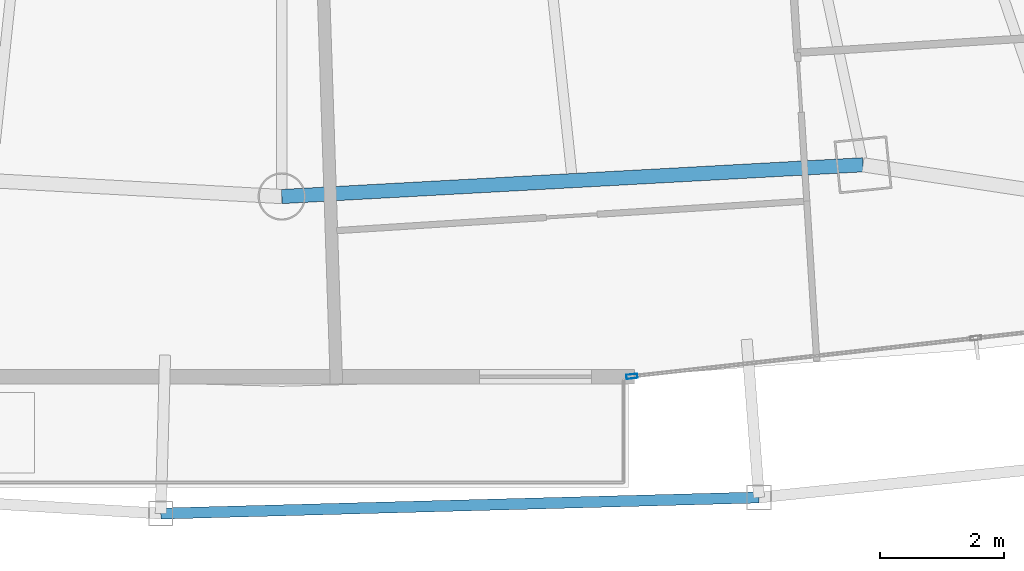
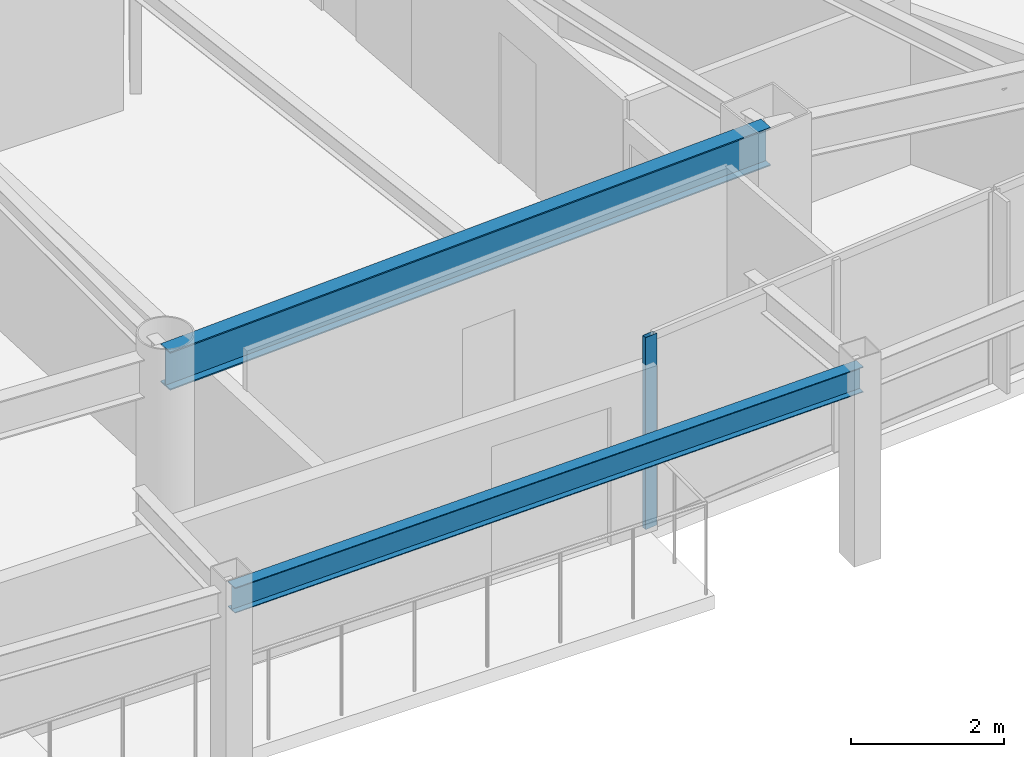
# One storey, part 8 of 29: 2 beams, 1 member, 1 element without a shape of its own.
"""IFC4 building model written with IfcOpenShell, lengths in metres."""

from ifc_helpers import new_model, si_unit, direction, frame, origin, origin_2d, place, context, subcontext, project, spatial, hollow_rectangle, i_section, extrude, material, layer, layer_set, material_profile, profile_set, type_object, element, aggregate, save


model = new_model("IFC4")

# Units and contexts
model_context = context("Model", 3, precision=1e-05, world=origin(), true_north=direction((0.0, 1.0)))
body_context = subcontext(model_context, "Body", "Model", "MODEL_VIEW")
ifc_project = project(units=[si_unit("LENGTHUNIT", "METRE"), si_unit("AREAUNIT", "SQUARE_METRE"), si_unit("VOLUMEUNIT", "CUBIC_METRE"), si_unit("PLANEANGLEUNIT", "RADIAN"), si_unit("MASSUNIT", "GRAM", prefix="KILO")], contexts=[model_context])

# Site, building, storey
site_placement = place(None, origin())
site = spatial("IfcSite", under=ifc_project, at=site_placement, CompositionType="ELEMENT")
building_placement = place(site_placement, origin())
building = spatial("IfcBuilding", under=site, at=building_placement, Name="Orvanel Arch Residences", CompositionType="ELEMENT")
storey_placement = place(building_placement, frame((0.0, 0.0, 173.75)))
storey = spatial("IfcBuildingStorey", under=building, at=storey_placement, Name="L49", CompositionType="ELEMENT", Elevation=173.75)

# Curtain wall, member
ifc_material_1 = material(Name="Bronze-anodised aluminium AA6063-T6", Category="aluminium")
ifc_layer = layer(ifc_material_1, 0.179931640625)
ifc_layer_set = layer_set([ifc_layer], Name="Bronze-anodised aluminium AA6063-T6")
curtain_wall_type = type_object("IfcCurtainWallType", Name="CW3-MID-SYS", PredefinedType="NOTDEFINED", material=ifc_layer_set)
curtain_wall_placement = place(storey_placement, origin())
curtain_wall = element("IfcCurtainWall", 1, at=curtain_wall_placement, inside=storey, type_object=curtain_wall_type, Name="L49 CW3-MID-SYS Unitised Curtain Wall", PredefinedType="NOTDEFINED")
ifc_material_profile_1 = material_profile(ifc_material_1, hollow_rectangle(XDim=0.070068359375, YDim=0.179931640625, WallThickness=0.00439453125, at=origin_2d()), Name="ALU180x70x4.5")
ifc_profile_set_1 = profile_set([ifc_material_profile_1], Name="Bronze-anodised aluminium AA6063-T6")
member_type = type_object("IfcMemberType", Name="MUL-180x70", PredefinedType="MULLION", material=ifc_profile_set_1)
member_placement = place(storey_placement, frame((38.6328125, 3.950927734375, 0.0), z_axis=(0.0, 0.0, 1.0), x_axis=(-0.110836581045, 0.993838645003, 0.0)))
member = element("IfcMember", 2, at=member_placement, type_object=member_type, Name="CW-S3 mullion 1", PredefinedType="MULLION", context=body_context, shape_type="SweptSolid", body=[
    extrude(hollow_rectangle(XDim=0.070068359375, YDim=0.179931640625, WallThickness=0.00439453125, at=origin_2d()), origin(), (0.0, 0.0, 1.0), 3.06005859375),
])
aggregate(curtain_wall, [member])

# Beams
ifc_material_2 = material(Name="Structural steel AS/NZS 3679.1 Grade 300 (300 MPa)", Category="steel")
ifc_material_profile_2 = material_profile(ifc_material_2, i_section(OverallWidth=0.177978515625, OverallDepth=0.406005859375, WebThickness=0.0078125, FlangeThickness=0.0126953125, at=origin_2d()), Name="410UB59.7")
ifc_profile_set_2 = profile_set([ifc_material_profile_2], Name="Structural steel AS/NZS 3679.1 Grade 300 (300 MPa)")
beam_type_1 = type_object("IfcBeamType", Name="OB-410UB-EXT", PredefinedType="SPANDREL", material=ifc_profile_set_2)
beam_1_placement = place(storey_placement, frame((31.052978515625, 1.743896484375, 2.85693359375), z_axis=(0.999638054182, 0.026902799703, 0.0), x_axis=(-0.026902799703, 0.999638054182, 0.0)))
element("IfcBeam", 3, at=beam_1_placement, inside=storey, type_object=beam_type_1, Name="L49 Outer Perimeter Floor Ring Beam 06", PredefinedType="SPANDREL", context=body_context, shape_type="SweptSolid", body=[
    extrude(i_section(OverallWidth=0.177978515625, OverallDepth=0.406005859375, WebThickness=0.0078125, FlangeThickness=0.0126953125, at=origin_2d()), origin(), (0.0, 0.0, 1.0), 9.62841796875),
])
ifc_material_profile_3 = material_profile(ifc_material_2, i_section(OverallWidth=0.22900390625, OverallDepth=0.612060546875, WebThickness=0.011962890625, FlangeThickness=0.01953125, at=origin_2d()), Name="610UB125")
ifc_profile_set_3 = profile_set([ifc_material_profile_3], Name="Structural steel AS/NZS 3679.1 Grade 300 (300 MPa)")
beam_type_2 = type_object("IfcBeamType", Name="SP-610UB", PredefinedType="SPANDREL", material=ifc_profile_set_3)
beam_2_placement = place(storey_placement, frame((33.0, 6.843994140625, 2.75390625), z_axis=(0.998510315598, 0.054563262768, 0.0), x_axis=(-0.054563262768, 0.998510315598, 0.0)))
element("IfcBeam", 4, at=beam_2_placement, inside=storey, type_object=beam_type_2, Name="L49 Perimeter Spandrel Beam 06", PredefinedType="SPANDREL", context=body_context, shape_type="SweptSolid", body=[
    extrude(i_section(OverallWidth=0.22900390625, OverallDepth=0.612060546875, WebThickness=0.011962890625, FlangeThickness=0.01953125, at=origin_2d()), origin(), (0.0, 0.0, 1.0), 9.364990234375),
])

save(model, "model.ifc")
